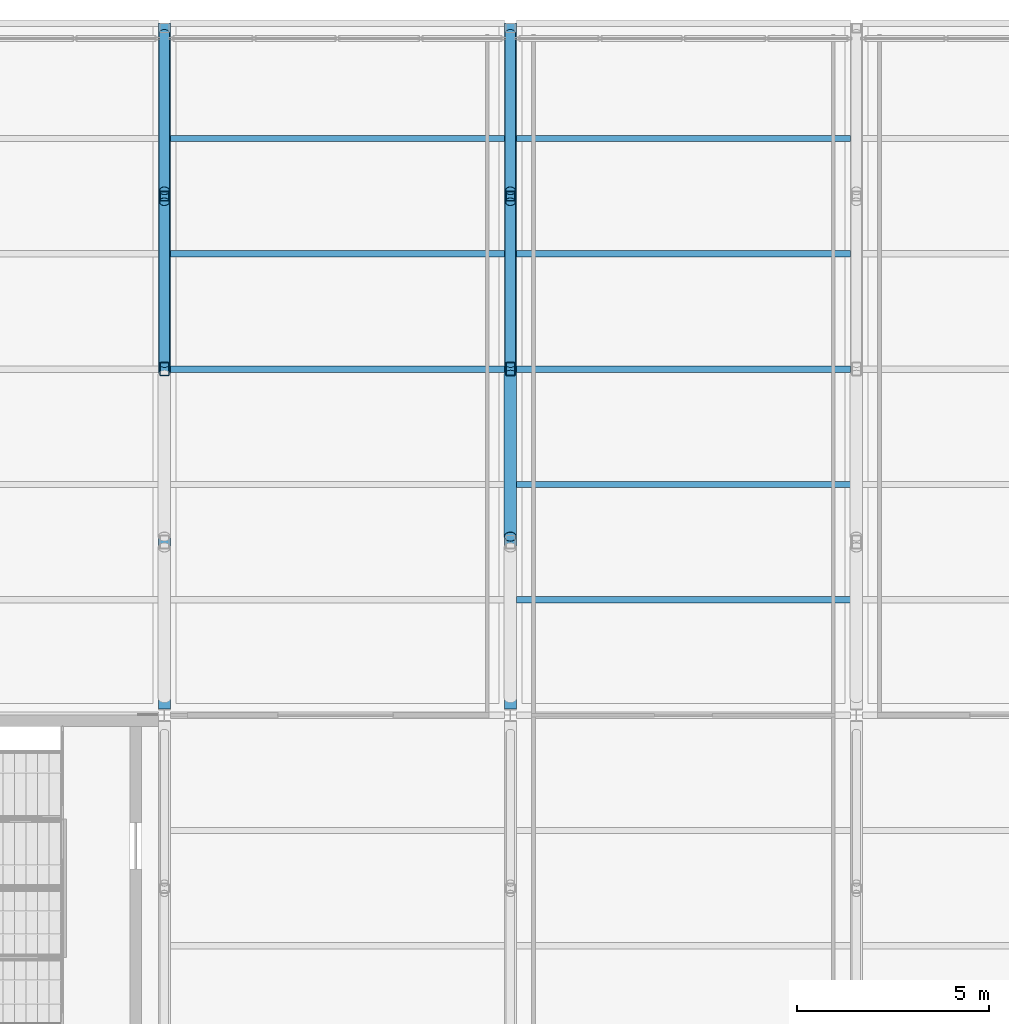
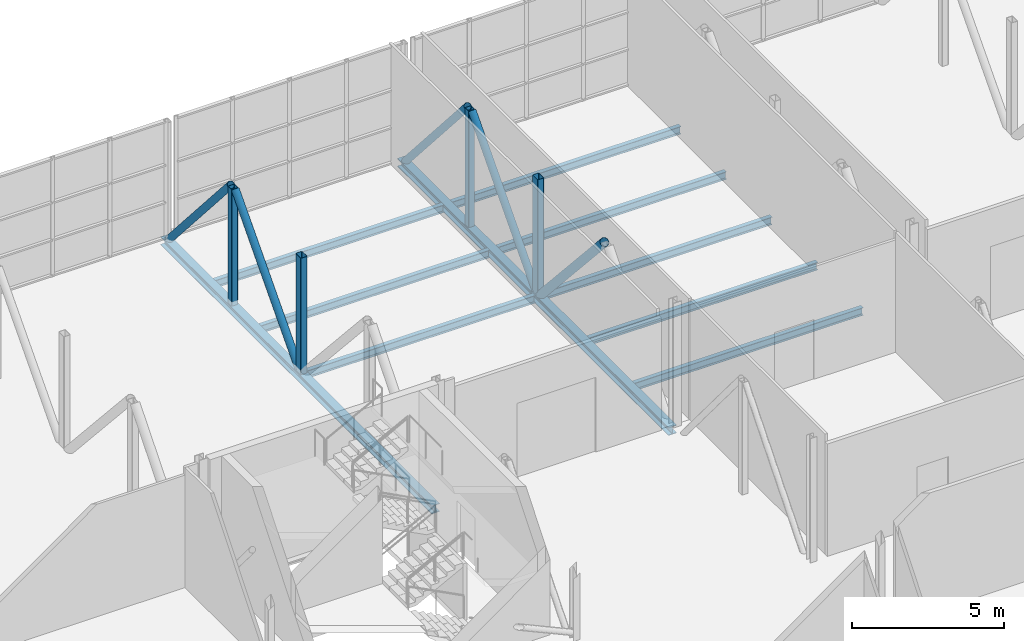
# One storey, part 62 of 94: 10 beams, 9 members.
"""IFC4 building model written with IfcOpenShell, lengths in metres."""

from ifc_helpers import new_model, si_unit, direction, frame, origin, origin_2d, place, context, subcontext, project, spatial, hollow_rectangle, hollow_circle, i_section, extrude, material, material_profile, profile_set, type_object, element, save


model = new_model("IFC4")

# Units and contexts
model_context = context("Model", 3, precision=1e-05, world=origin(), true_north=direction((0.0, 1.0)))
body_context = subcontext(model_context, "Body", "Model", "MODEL_VIEW")
ifc_project = project(units=[si_unit("LENGTHUNIT", "METRE"), si_unit("AREAUNIT", "SQUARE_METRE"), si_unit("VOLUMEUNIT", "CUBIC_METRE"), si_unit("PLANEANGLEUNIT", "RADIAN"), si_unit("MASSUNIT", "GRAM", prefix="KILO")], contexts=[model_context])

# Site, building, storey
site_placement = place(None, origin())
site = spatial("IfcSite", under=ifc_project, at=site_placement, CompositionType="ELEMENT")
building_placement = place(site_placement, origin())
building = spatial("IfcBuilding", under=site, at=building_placement, Name="Shorebreak Coast Museum", CompositionType="ELEMENT")
storey_placement = place(building_placement, frame((0.0, 0.0, 31.0)))
storey = spatial("IfcBuildingStorey", under=building, at=storey_placement, Name="L05", CompositionType="ELEMENT", Elevation=31.0)

# Beams
ifc_material_1 = material(Name="Steel Grade 300", Category="steel")
ifc_material_profile_1 = material_profile(ifc_material_1, i_section(OverallWidth=0.166015625, OverallDepth=0.30712890625, WebThickness=0.006591796875, FlangeThickness=0.01171875, FilletRadius=0.011474609375, at=origin_2d()), Name="310UB46.2")
ifc_profile_set_1 = profile_set([ifc_material_profile_1], Name="Steel Grade 300")
beam_type_1 = type_object("IfcBeamType", Name="Floor girder east-west 310UB46.2", PredefinedType="BEAM", material=ifc_profile_set_1)
for number, where, z_axis, x_axis, name in (
    (1, (72.155517578125, 126.0, -0.32861328125), (1.0, 0.0, 0.0), (0.0, 1.0, 0.0), "Floor girder east-west L05 9R"),
    (2, (81.155517578125, 126.0, -0.32861328125), (1.0, 0.0, 0.0), (0.0, 1.0, 0.0), "Floor girder east-west L05 10R"),
):
    element("IfcBeam", number, at=place(storey_placement, frame(where, z_axis=z_axis, x_axis=x_axis)), inside=storey, type_object=beam_type_1, Name=name, PredefinedType="BEAM", context=body_context, shape_type="SweptSolid", body=[
        extrude(i_section(OverallWidth=0.166015625, OverallDepth=0.30712890625, WebThickness=0.006591796875, FlangeThickness=0.01171875, FilletRadius=0.011474609375, at=origin_2d()), origin(), (0.0, 0.0, 1.0), 8.68896484375),
    ])
ifc_material_2 = material(Name="Steel Grade 300", Category="steel")
ifc_material_profile_2 = material_profile(ifc_material_2, i_section(OverallWidth=0.166015625, OverallDepth=0.30712890625, WebThickness=0.006591796875, FlangeThickness=0.01171875, FilletRadius=0.011474609375, at=origin_2d()), Name="310UB46.2")
ifc_profile_set_2 = profile_set([ifc_material_profile_2], Name="Steel Grade 300")
beam_type_2 = type_object("IfcBeamType", Name="Floor joist 310UB46.2", PredefinedType="JOIST", material=ifc_profile_set_2)
for number, where, z_axis, x_axis, name in (
    (3, (81.155517578125, 120.0, -0.32861328125), (1.0, 0.0, 0.0), (0.0, 1.0, 0.0), "Floor joist L05 bay 10P at 3000 mm"),
    (4, (81.155517578125, 123.0, -0.32861328125), (1.0, 0.0, 0.0), (0.0, 1.0, 0.0), "Floor joist L05 bay 10P at 6000 mm"),
    (5, (72.155517578125, 129.0, -0.32861328125), (1.0, 0.0, 0.0), (0.0, 1.0, 0.0), "Floor joist L05 bay 9R at 3000 mm"),
    (6, (72.155517578125, 132.0, -0.32861328125), (1.0, 0.0, 0.0), (0.0, 1.0, 0.0), "Floor joist L05 bay 9R at 6000 mm"),
    (7, (81.155517578125, 129.0, -0.32861328125), (1.0, 0.0, 0.0), (0.0, 1.0, 0.0), "Floor joist L05 bay 10R at 3000 mm"),
    (8, (81.155517578125, 132.0, -0.32861328125), (1.0, 0.0, 0.0), (0.0, 1.0, 0.0), "Floor joist L05 bay 10R at 6000 mm"),
):
    element("IfcBeam", number, at=place(storey_placement, frame(where, z_axis=z_axis, x_axis=x_axis)), inside=storey, type_object=beam_type_2, Name=name, PredefinedType="JOIST", context=body_context, shape_type="SweptSolid", body=[
        extrude(i_section(OverallWidth=0.166015625, OverallDepth=0.30712890625, WebThickness=0.006591796875, FlangeThickness=0.01171875, FilletRadius=0.011474609375, at=origin_2d()), origin(), (0.0, 0.0, 1.0), 8.68896484375),
    ])
ifc_material_3 = material(Name="Steel Grade 300", Category="steel")
ifc_material_profile_3 = material_profile(ifc_material_3, i_section(OverallWidth=0.31103515625, OverallDepth=0.3271484375, WebThickness=0.015625, FlangeThickness=0.02490234375, FilletRadius=0.0166015625, at=origin_2d()), Name="310UC158")
ifc_profile_set_3 = profile_set([ifc_material_profile_3], Name="Steel Grade 300")
beam_type_3 = type_object("IfcBeamType", Name="Transfer truss chord 310UC158", PredefinedType="BEAM", material=ifc_profile_set_3)
for number, where, z_axis, x_axis, name in (
    (9, (72.0, 117.16357421875, -0.338623046875), (0.0, 1.0, 0.0), (-1.0, 0.0, 0.0), "Transfer truss TR3 chord C04"),
    (10, (81.0, 117.16357421875, -0.338623046875), (0.0, 1.0, 0.0), (-1.0, 0.0, 0.0), "Transfer truss TR4 chord C04"),
):
    element("IfcBeam", number, at=place(storey_placement, frame(where, z_axis=z_axis, x_axis=x_axis)), inside=storey, type_object=beam_type_3, Name=name, PredefinedType="BEAM", context=body_context, shape_type="SweptSolid", body=[
        extrude(i_section(OverallWidth=0.31103515625, OverallDepth=0.3271484375, WebThickness=0.015625, FlangeThickness=0.02490234375, FilletRadius=0.0166015625, at=origin_2d()), origin(), (0.0, 0.0, 1.0), 17.83642578125),
    ])

# Members
ifc_material_4 = material(Name="Steel Grade C350L0", Category="steel")
ifc_material_profile_4 = material_profile(ifc_material_4, hollow_circle(Radius=0.136474609375, WallThickness=0.00927734375, at=origin_2d()), Name="273.1x9.3 CHS")
ifc_profile_set_4 = profile_set([ifc_material_profile_4], Name="Steel Grade C350L0")
member_type_1 = type_object("IfcMemberType", Name="Transfer truss diagonal 273.1x9.3 CHS", PredefinedType="BRACE", material=ifc_profile_set_4)
member_1_placement = place(storey_placement, frame((72.0, 126.147216796875, -0.175048828125), z_axis=(0.0, 0.668701073602, 0.743531353854), x_axis=(-1.0, 0.0, 0.0)))
element("IfcMember", 11, at=member_1_placement, inside=storey, type_object=member_type_1, Name="Transfer truss TR3 diagonal D08", PredefinedType="BRACE", context=body_context, shape_type="SweptSolid", body=[
    extrude(hollow_circle(Radius=0.136474609375, WallThickness=0.00927734375, at=origin_2d()), origin(), (0.0, 0.0, 1.0), 6.29345703125),
])
member_2_placement = place(storey_placement, frame((72.0, 134.73193359375, -0.175048828125), z_axis=(0.0, -0.658257101964, 0.752793190534), x_axis=(1.0, 0.0, 0.0)))
element("IfcMember", 12, at=member_2_placement, inside=storey, type_object=member_type_1, Name="Transfer truss TR3 diagonal D09", PredefinedType="BRACE", context=body_context, shape_type="SweptSolid", body=[
    extrude(hollow_circle(Radius=0.136474609375, WallThickness=0.00927734375, at=origin_2d()), origin(), (0.0, 0.0, 1.0), 6.216064453125),
])
member_3_placement = place(storey_placement, frame((81.0, 126.147216796875, -0.175048828125), z_axis=(0.0, 0.668701073602, 0.743531353854), x_axis=(-1.0, 0.0, 0.0)))
element("IfcMember", 13, at=member_3_placement, inside=storey, type_object=member_type_1, Name="Transfer truss TR4 diagonal D08", PredefinedType="BRACE", context=body_context, shape_type="SweptSolid", body=[
    extrude(hollow_circle(Radius=0.136474609375, WallThickness=0.00927734375, at=origin_2d()), origin(), (0.0, 0.0, 1.0), 6.29345703125),
])
member_4_placement = place(storey_placement, frame((81.0, 134.73193359375, -0.175048828125), z_axis=(0.0, -0.658257101964, 0.752793190534), x_axis=(1.0, 0.0, 0.0)))
element("IfcMember", 14, at=member_4_placement, inside=storey, type_object=member_type_1, Name="Transfer truss TR4 diagonal D09", PredefinedType="BRACE", context=body_context, shape_type="SweptSolid", body=[
    extrude(hollow_circle(Radius=0.136474609375, WallThickness=0.00927734375, at=origin_2d()), origin(), (0.0, 0.0, 1.0), 6.216064453125),
])
ifc_material_5 = material(Name="Steel Grade C350L0", Category="steel")
ifc_material_profile_5 = material_profile(ifc_material_5, hollow_circle(Radius=0.161865234375, WallThickness=0.009521484375, at=origin_2d()), Name="323.9x9.5 CHS")
ifc_profile_set_5 = profile_set([ifc_material_profile_5], Name="Steel Grade C350L0")
member_type_2 = type_object("IfcMemberType", Name="Transfer truss diagonal 323.9x9.5 CHS", PredefinedType="BRACE", material=ifc_profile_set_5)
member_5_placement = place(storey_placement, frame((81.0, 125.852783203125, -0.175048828125), z_axis=(0.0, -0.668701073602, 0.743531353854), x_axis=(1.0, 0.0, 0.0)))
element("IfcMember", 15, at=member_5_placement, inside=storey, type_object=member_type_2, Name="Transfer truss TR4 diagonal D07", PredefinedType="BRACE", context=body_context, shape_type="SweptSolid", body=[
    extrude(hollow_circle(Radius=0.161865234375, WallThickness=0.009521484375, at=origin_2d()), origin(), (0.0, 0.0, 1.0), 6.29345703125),
])
ifc_material_6 = material(Name="Steel Grade C450L0", Category="steel")
ifc_material_profile_6 = material_profile(ifc_material_6, hollow_rectangle(XDim=0.25, YDim=0.25, WallThickness=0.012451171875, InnerFilletRadius=0.018798828125, OuterFilletRadius=0.03125, at=origin_2d()), Name="250x250x12.5 SHS")
ifc_profile_set_6 = profile_set([ifc_material_profile_6], Name="Steel Grade C450L0")
member_type_3 = type_object("IfcMemberType", Name="Transfer truss strut 250x250x12.5 SHS", PredefinedType="STRUT", material=ifc_profile_set_6)
for number, where, z_axis, x_axis, name in (
    (16, (72.0, 130.5, -0.175048828125), (0.0, 0.0, 1.0), (1.0, 0.0, 0.0), "Transfer truss TR3 strut V06"),
    (17, (81.0, 130.5, -0.175048828125), (0.0, 0.0, 1.0), (1.0, 0.0, 0.0), "Transfer truss TR4 strut V06"),
):
    element("IfcMember", number, at=place(storey_placement, frame(where, z_axis=z_axis, x_axis=x_axis)), inside=storey, type_object=member_type_3, Name=name, PredefinedType="STRUT", context=body_context, shape_type="SweptSolid", body=[
        extrude(hollow_rectangle(XDim=0.25, YDim=0.25, WallThickness=0.012451171875, InnerFilletRadius=0.018798828125, OuterFilletRadius=0.03125, at=origin_2d()), origin(), (0.0, 0.0, 1.0), 4.679443359375),
    ])
ifc_material_7 = material(Name="Steel Grade C450L0", Category="steel")
ifc_material_profile_7 = material_profile(ifc_material_7, hollow_rectangle(XDim=0.25, YDim=0.35009765625, WallThickness=0.012451171875, InnerFilletRadius=0.018798828125, OuterFilletRadius=0.03125, at=origin_2d()), Name="350x250x12.5 RHS")
ifc_profile_set_7 = profile_set([ifc_material_profile_7], Name="Steel Grade C450L0")
member_type_4 = type_object("IfcMemberType", Name="Transfer truss strut 350x250x12.5 RHS", PredefinedType="STRUT", material=ifc_profile_set_7)
for number, where, z_axis, x_axis, name in (
    (18, (72.0, 126.0, -0.175048828125), (0.0, 0.0, 1.0), (1.0, 0.0, 0.0), "Transfer truss TR3 strut V05"),
    (19, (81.0, 126.0, -0.175048828125), (0.0, 0.0, 1.0), (1.0, 0.0, 0.0), "Transfer truss TR4 strut V05"),
):
    element("IfcMember", number, at=place(storey_placement, frame(where, z_axis=z_axis, x_axis=x_axis)), inside=storey, type_object=member_type_4, Name=name, PredefinedType="STRUT", context=body_context, shape_type="SweptSolid", body=[
        extrude(hollow_rectangle(XDim=0.25, YDim=0.35009765625, WallThickness=0.012451171875, InnerFilletRadius=0.018798828125, OuterFilletRadius=0.03125, at=origin_2d()), origin(), (0.0, 0.0, 1.0), 4.679443359375),
    ])

save(model, "model.ifc")
